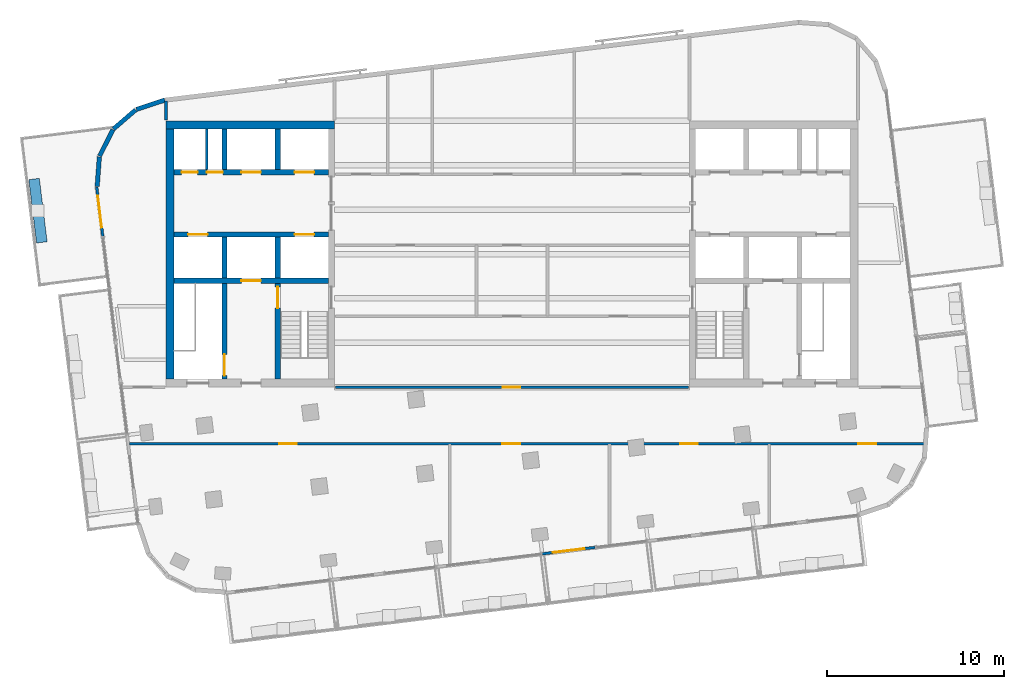
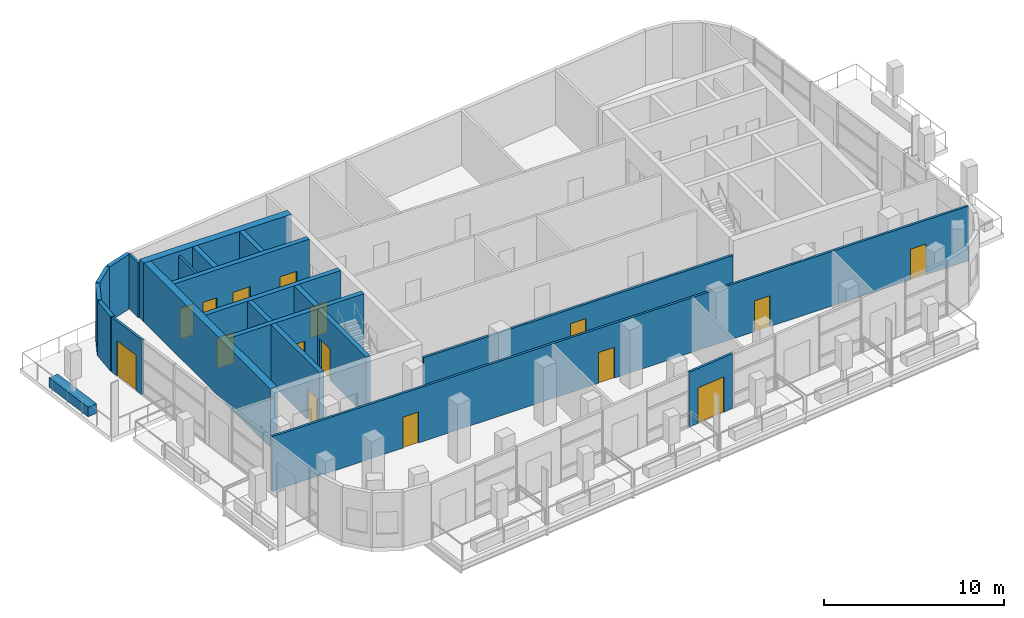
# One storey, part 7 of 13: 22 walls, 16 doors, 16 openings.
"""IFC4 building model written with IfcOpenShell, lengths in metres."""

import ifcopenshell
import ifcopenshell.guid

model = None  # the IFC model being written
_history = None  # IfcOwnerHistory: only IFC2X3 demands one
_inside = {}  # id of a spatial element -> (the spatial element, [elements in it])
_under = {}  # id of a project, library or spatial element -> (it, [spatial elements below it])
_declared = {}  # id of a project -> (the project, [libraries it declares])
_typed = {}  # id of a type object -> (the type object, [elements of that type])
_made_of = {}  # id of a material, layer set ... -> (it, [elements and type objects made of it])


def new_model(schema):
    """Start an empty IFC model of exactly this schema.

    Asked for "IFC4X3", IfcOpenShell would pick the latest addendum, in which some entities
    have other attributes; the version numbers below select the first issue.
    IFC2X3 requires an IfcOwnerHistory on every rooted entity: one is made here for all.
    """
    global model, _history
    if schema == "IFC4X3":
        model = ifcopenshell.file(schema_version=(4, 3, 0, 0))
    else:
        model = ifcopenshell.file(schema=schema)
    _inside.clear()
    _under.clear()
    _declared.clear()
    _typed.clear()
    _made_of.clear()
    _history = None
    if model.schema == "IFC2X3":
        org = make("IfcOrganization", Name="unknown")
        user = make(
            "IfcPersonAndOrganization",
            ThePerson=make("IfcPerson", FamilyName="unknown"),
            TheOrganization=org,
        )
        app = make(
            "IfcApplication",
            ApplicationDeveloper=org,
            Version="unknown",
            ApplicationFullName="unknown",
            ApplicationIdentifier="unknown",
        )
        _history = make(
            "IfcOwnerHistory",
            OwningUser=user,
            OwningApplication=app,
            ChangeAction="ADDED",
            CreationDate=0,
        )
    return model


def make(cls, **values):
    """One entity of the class cls with the attributes given. An attribute that is None is left unset."""
    return model.create_entity(
        cls, **{name: value for name, value in values.items() if value is not None}
    )


def rooted(cls, **values):
    """An entity with a GlobalId (a new one), such as an element, a storey or a relation."""
    return make(cls, GlobalId=ifcopenshell.guid.new(), OwnerHistory=_history, **values)


def si_unit(unit_type, name, prefix=None):
    """IfcSIUnit, for example si_unit("LENGTHUNIT", "METRE", prefix="MILLI")."""
    return make("IfcSIUnit", UnitType=unit_type, Prefix=prefix, Name=name)


def assignment(units):
    """IfcUnitAssignment: the units of a project."""
    return None if units is None else make("IfcUnitAssignment", Units=units)


def point(xyz):
    """IfcCartesianPoint."""
    return None if xyz is None else make("IfcCartesianPoint", Coordinates=xyz)


def direction(xyz):
    """IfcDirection."""
    return None if xyz is None else make("IfcDirection", DirectionRatios=xyz)


def frame(location, z_axis=None, x_axis=None):
    """IfcAxis2Placement3D, a coordinate frame: its origin and axes. An axis left out is left unset."""
    return make(
        "IfcAxis2Placement3D",
        Location=point(location),
        Axis=direction(z_axis),
        RefDirection=direction(x_axis),
    )


def frame_2d(location, x_axis=None):
    """IfcAxis2Placement2D, a coordinate frame in the plane: its origin and x axis."""
    return make(
        "IfcAxis2Placement2D", Location=point(location), RefDirection=direction(x_axis)
    )


def origin():
    """The frame at (0, 0, 0) with its axes left unset."""
    return frame((0.0, 0.0, 0.0))


def place(relative_to, where):
    """IfcLocalPlacement: puts the frame where relative to a parent placement (None: the world)."""
    return make(
        "IfcLocalPlacement", PlacementRelTo=relative_to, RelativePlacement=where
    )


def context(
    kind, dimensions, precision=None, world=None, true_north=None, identifier=None
):
    """IfcGeometricRepresentationContext, for example the 3D "Model" context."""
    return make(
        "IfcGeometricRepresentationContext",
        ContextIdentifier=identifier,
        ContextType=kind,
        CoordinateSpaceDimension=dimensions,
        Precision=precision,
        WorldCoordinateSystem=world,
        TrueNorth=true_north,
    )


def subcontext(parent, identifier, kind, view, scale=None):
    """IfcGeometricRepresentationSubContext, for example "Body" below "Model"."""
    return make(
        "IfcGeometricRepresentationSubContext",
        ContextIdentifier=identifier,
        ContextType=kind,
        ParentContext=parent,
        TargetScale=scale,
        TargetView=view,
    )


def project(units=None, contexts=None):
    """IfcProject with its units and contexts."""
    return rooted(
        "IfcProject",
        Name="project",
        RepresentationContexts=contexts,
        UnitsInContext=assignment(units),
    )


def spatial(cls, under=None, at=None, **own):
    """A site, building, storey or space (cls), placed at a placement, below another one or the project."""
    s = rooted(cls, ObjectPlacement=at, **own)
    if under is not None:
        _under.setdefault(under.id(), (under, []))[1].append(s)
    return s


def profile(cls, at=None, kind="AREA", **sizes):
    """A parametric profile (cls). Its sizes go by their IFC names, for example OverallWidth=200.0."""
    return make(cls, ProfileType=kind, Position=at, **sizes)


def rectangle(**sizes):
    """IfcRectangleProfileDef."""
    return profile("IfcRectangleProfileDef", **sizes)


def extrude(swept, where, along, depth):
    """IfcExtrudedAreaSolid: the profile swept, set in the frame where, extruded along a direction by depth."""
    return make(
        "IfcExtrudedAreaSolid",
        SweptArea=swept,
        Position=where,
        ExtrudedDirection=direction(along),
        Depth=depth,
    )


def shape(context_of_items, identifier, shape_type, items):
    """IfcShapeRepresentation: the items that make up one representation, for example the "Body"."""
    return make(
        "IfcShapeRepresentation",
        ContextOfItems=context_of_items,
        RepresentationIdentifier=identifier,
        RepresentationType=shape_type,
        Items=items,
    )


def material(Name=None, Category=None):
    """IfcMaterial."""
    return make("IfcMaterial", Name=Name, Category=Category)


def layer(
    of_material, thickness, ventilated=None, Name=None, Category=None, Priority=None
):
    """IfcMaterialLayer: one layer of a wall or slab, of a material (None: an air gap)."""
    return make(
        "IfcMaterialLayer",
        Material=of_material,
        LayerThickness=thickness,
        IsVentilated=ventilated,
        Name=Name,
        Category=Category,
        Priority=Priority,
    )


def layer_set(layers, Name=None):
    """IfcMaterialLayerSet."""
    return make("IfcMaterialLayerSet", MaterialLayers=layers, LayerSetName=Name)


def made_of(thing, what):
    """Note that an element or type object is made of a material, layer set ...; save() writes the relation."""
    if what is not None:
        _made_of.setdefault(what.id(), (what, []))[1].append(thing)
    return thing


def type_object(cls, material=None, **own):
    """A type object (cls), such as IfcWallType, which elements share."""
    return made_of(rooted(cls, **own), material)


def element(
    cls,
    number,
    at=None,
    inside=None,
    cuts=None,
    type_object=None,
    material=None,
    context=None,
    identifier="Body",
    shape_type=None,
    held_by="IfcProductDefinitionShape",
    body=None,
    shapes=None,
    **own,
):
    """One element of the class cls, such as IfcWall. Its Tag is "e" and its number.

    at: its placement. inside: the storey or other place that contains it. cuts: it is an
    opening in that element (IfcRelVoidsElement). A single representation is given by context,
    identifier, shape_type and body (its items); several are given by shapes. held_by: the class
    of the entity that holds the representations. save() writes the other relations.
    """
    e = rooted(cls, Tag="e%d" % number, ObjectPlacement=at, **own)
    if body is not None:
        shapes = [shape(context, identifier, shape_type, body)]
    if shapes is not None:
        e.Representation = make(held_by, Representations=shapes)
    if inside is not None:
        _inside.setdefault(inside.id(), (inside, []))[1].append(e)
    if cuts is not None:
        rooted(
            "IfcRelVoidsElement", RelatingBuildingElement=cuts, RelatedOpeningElement=e
        )
    if type_object is not None:
        _typed.setdefault(type_object.id(), (type_object, []))[1].append(e)
    return made_of(e, material)


def fill(opening, filler):
    """IfcRelFillsElement: the door or window that sits in an opening."""
    return rooted(
        "IfcRelFillsElement",
        RelatingOpeningElement=opening,
        RelatedBuildingElement=filler,
    )


def aggregate(whole, parts):
    """IfcRelAggregates: a whole, such as a stair, and the parts it consists of."""
    return rooted("IfcRelAggregates", RelatingObject=whole, RelatedObjects=parts)


def save(model, path):
    """Write the relations noted so far, then the file.

    IfcRelAggregates (storeys below a building ...), IfcRelContainedInSpatialStructure (elements
    in a storey), IfcRelDefinesByType, IfcRelAssociatesMaterial and IfcRelDeclares: one each for
    every whole, place, type object, material and project.
    """
    for whole, parts in _under.values():
        aggregate(whole, parts)
    for where, things in _inside.values():
        rooted(
            "IfcRelContainedInSpatialStructure",
            RelatedElements=things,
            RelatingStructure=where,
        )
    for kind, things in _typed.values():
        rooted("IfcRelDefinesByType", RelatedObjects=things, RelatingType=kind)
    for what, things in _made_of.values():
        rooted("IfcRelAssociatesMaterial", RelatedObjects=things, RelatingMaterial=what)
    for by, libraries in _declared.values():
        rooted("IfcRelDeclares", RelatingContext=by, RelatedDefinitions=libraries)
    model.write(path)


model = new_model("IFC4")

# Units and contexts
model_context = context("Model", 3, precision=1e-05, world=origin(), true_north=direction((0.0, 1.0)))
body_context = subcontext(model_context, "Body", "Model", "MODEL_VIEW")
ifc_project = project(units=[si_unit("LENGTHUNIT", "METRE"), si_unit("AREAUNIT", "SQUARE_METRE"), si_unit("VOLUMEUNIT", "CUBIC_METRE"), si_unit("PLANEANGLEUNIT", "RADIAN"), si_unit("MASSUNIT", "GRAM", prefix="KILO")], contexts=[model_context])

# Site, building, storey
site_placement = place(None, origin())
site = spatial("IfcSite", under=ifc_project, at=site_placement, CompositionType="ELEMENT")
building_placement = place(site_placement, origin())
building = spatial("IfcBuilding", under=site, at=building_placement, Name="Torana Hotel and Residences", CompositionType="ELEMENT")
storey_placement = place(building_placement, frame((0.0, 0.0, 342.60009765625)))
storey = spatial("IfcBuildingStorey", under=building, at=storey_placement, Name="L90", CompositionType="ELEMENT", Elevation=342.60009765625)

# Wall, openings, doors
ifc_material_1 = material(Name="Concrete C60/75", Category="concrete")
ifc_layer_1 = layer(ifc_material_1, 0.300048828125)
ifc_layer_set_1 = layer_set([ifc_layer_1], Name="CORE WALL 300 C60/75")
wall_type_1 = type_object("IfcWallType", Name="CORE WALL 300 C60/75", PredefinedType="SHEAR", material=ifc_layer_set_1)
wall_1_placement = place(storey_placement, frame((-19.050048828125, -2.89990234375, 0.0), z_axis=(0.0, 0.0, 1.0), x_axis=(1.0, 0.0, 0.0)))
wall_1 = element("IfcWall", 1, at=wall_1_placement, inside=storey, type_object=wall_type_1, Name="Core wall W row-N", PredefinedType="SHEAR", context=body_context, shape_type="SweptSolid", body=[
    extrude(rectangle(XDim=8.699951171875, YDim=0.300048828125, at=frame_2d((4.35009765625, 0.0))), origin(), (0.0, 0.0, 1.0), 4.0),
])
opening_1_placement = place(wall_1_placement, frame((6.800048828125, 0.0, 0.0)))
opening_1 = element("IfcOpeningElement", 2, at=opening_1_placement, cuts=wall_1, Name="Opening LD", PredefinedType="OPENING", context=body_context, shape_type="SweptSolid", body=[
    extrude(rectangle(XDim=1.10009765625, YDim=2.10009765625, at=frame_2d((0.550048828125, 1.050048828125))), frame((0.0, 0.159912109375, 0.0), z_axis=(0.0, -1.0, 0.0), x_axis=(1.0, 0.0, 0.0)), (0.0, 0.0, 1.0), 0.320068359375),
])
opening_2_placement = place(wall_1_placement, frame((3.800048828125, 0.0, 0.0)))
opening_2 = element("IfcOpeningElement", 3, at=opening_2_placement, cuts=wall_1, Name="Opening LD", PredefinedType="OPENING", context=body_context, shape_type="SweptSolid", body=[
    extrude(rectangle(XDim=1.10009765625, YDim=2.10009765625, at=frame_2d((0.550048828125, 1.050048828125))), frame((0.0, 0.159912109375, 0.0), z_axis=(0.0, -1.0, 0.0), x_axis=(1.0, 0.0, 0.0)), (0.0, 0.0, 1.0), 0.320068359375),
])
opening_3_placement = place(wall_1_placement, frame((1.862548828125, 0.0, 0.0)))
opening_3 = element("IfcOpeningElement", 4, at=opening_3_placement, cuts=wall_1, Name="Opening L90-06", PredefinedType="OPENING", context=body_context, shape_type="SweptSolid", body=[
    extrude(rectangle(XDim=0.89990234375, YDim=2.10009765625, at=frame_2d((0.449951171875, 1.050048828125))), frame((0.0, 0.159912109375, 0.0), z_axis=(0.0, -1.0, 0.0), x_axis=(1.0, 0.0, 0.0)), (0.0, 0.0, 1.0), 0.320068359375),
])
opening_4_placement = place(wall_1_placement, frame((0.4375, 0.0, 0.0)))
opening_4 = element("IfcOpeningElement", 5, at=opening_4_placement, cuts=wall_1, Name="Opening L90-07", PredefinedType="OPENING", context=body_context, shape_type="SweptSolid", body=[
    extrude(rectangle(XDim=0.89990234375, YDim=2.10009765625, at=frame_2d((0.449951171875, 1.050048828125))), frame((0.0, 0.159912109375, 0.0), z_axis=(0.0, -1.0, 0.0), x_axis=(1.0, 0.0, 0.0)), (0.0, 0.0, 1.0), 0.320068359375),
])
ifc_material_2 = material(Name="Stainless steel 316", Category="steel")
door_type_1 = type_object("IfcDoorType", Name="LIFT LANDING DOOR LD 1100x2100", OperationType="DOUBLE_DOOR_SLIDING", PredefinedType="USERDEFINED", material=ifc_material_2)
door_1_placement = place(opening_1_placement, origin())
door_1 = element("IfcDoor", 6, at=door_1_placement, inside=storey, type_object=door_type_1, Name="Lift landing door H1 L90", ObjectType="LIFT LANDING DOOR", OperationType="DOUBLE_DOOR_SLIDING", OverallHeight=2.10009765625, OverallWidth=1.10009765625, PredefinedType="USERDEFINED", context=body_context, shape_type="SweptSolid", body=[
    extrude(rectangle(XDim=1.10009765625, YDim=2.10009765625, at=frame_2d((0.550048828125, 1.050048828125))), frame((0.0, 0.02490234375, 0.0), z_axis=(0.0, -1.0, 0.0), x_axis=(1.0, 0.0, 0.0)), (0.0, 0.0, 1.0), 0.050048828125),
])
fill(opening_1, door_1)
door_2_placement = place(opening_2_placement, origin())
door_2 = element("IfcDoor", 7, at=door_2_placement, inside=storey, type_object=door_type_1, Name="Lift landing door H2 L90", ObjectType="LIFT LANDING DOOR", OperationType="DOUBLE_DOOR_SLIDING", OverallHeight=2.10009765625, OverallWidth=1.10009765625, PredefinedType="USERDEFINED", context=body_context, shape_type="SweptSolid", body=[
    extrude(rectangle(XDim=1.10009765625, YDim=2.10009765625, at=frame_2d((0.550048828125, 1.050048828125))), frame((0.0, 0.02490234375, 0.0), z_axis=(0.0, -1.0, 0.0), x_axis=(1.0, 0.0, 0.0)), (0.0, 0.0, 1.0), 0.050048828125),
])
fill(opening_2, door_2)
ifc_material_3 = material(Name="Steel S235", Category="steel")
door_type_2 = type_object("IfcDoorType", Name="RISER ACCESS DOOR D5 900x2100", OperationType="SINGLE_SWING_LEFT", PredefinedType="DOOR", material=ifc_material_3)
door_3_placement = place(opening_3_placement, origin())
door_3 = element("IfcDoor", 8, at=door_3_placement, inside=storey, type_object=door_type_2, Name="N2A door L90", OperationType="SINGLE_SWING_LEFT", OverallHeight=2.10009765625, OverallWidth=0.89990234375, PredefinedType="DOOR", context=body_context, shape_type="SweptSolid", body=[
    extrude(rectangle(XDim=0.89990234375, YDim=2.10009765625, at=frame_2d((0.449951171875, 1.050048828125))), frame((0.0, 0.02490234375, 0.0), z_axis=(0.0, -1.0, 0.0), x_axis=(1.0, 0.0, 0.0)), (0.0, 0.0, 1.0), 0.050048828125),
])
fill(opening_3, door_3)
door_4_placement = place(opening_4_placement, origin())
door_4 = element("IfcDoor", 9, at=door_4_placement, inside=storey, type_object=door_type_2, Name="N2B door L90", OperationType="SINGLE_SWING_RIGHT", OverallHeight=2.10009765625, OverallWidth=0.89990234375, PredefinedType="DOOR", context=body_context, shape_type="SweptSolid", body=[
    extrude(rectangle(XDim=0.89990234375, YDim=2.10009765625, at=frame_2d((0.449951171875, 1.050048828125))), frame((0.0, 0.02490234375, 0.0), z_axis=(0.0, -1.0, 0.0), x_axis=(1.0, 0.0, 0.0)), (0.0, 0.0, 1.0), 0.050048828125),
])
fill(opening_4, door_4)

wall_2_placement = place(storey_placement, frame((-19.050048828125, -6.39990234375, 0.0), z_axis=(0.0, 0.0, 1.0), x_axis=(1.0, 0.0, 0.0)))
wall_2 = element("IfcWall", 10, at=wall_2_placement, inside=storey, type_object=wall_type_1, Name="Core wall W row-S", PredefinedType="SHEAR", context=body_context, shape_type="SweptSolid", body=[
    extrude(rectangle(XDim=8.699951171875, YDim=0.300048828125, at=frame_2d((4.35009765625, 0.0))), origin(), (0.0, 0.0, 1.0), 4.0),
])
opening_5_placement = place(wall_2_placement, frame((6.800048828125, 0.0, 0.0)))
opening_5 = element("IfcOpeningElement", 11, at=opening_5_placement, cuts=wall_2, Name="Opening LD", PredefinedType="OPENING", context=body_context, shape_type="SweptSolid", body=[
    extrude(rectangle(XDim=1.10009765625, YDim=2.10009765625, at=frame_2d((0.550048828125, 1.050048828125))), frame((0.0, 0.159912109375, 0.0), z_axis=(0.0, -1.0, 0.0), x_axis=(1.0, 0.0, 0.0)), (0.0, 0.0, 1.0), 0.320068359375),
])
opening_6_placement = place(wall_2_placement, frame((0.800048828125, 0.0, 0.0)))
opening_6 = element("IfcOpeningElement", 12, at=opening_6_placement, cuts=wall_2, Name="Opening LD", PredefinedType="OPENING", context=body_context, shape_type="SweptSolid", body=[
    extrude(rectangle(XDim=1.10009765625, YDim=2.10009765625, at=frame_2d((0.550048828125, 1.050048828125))), frame((0.0, 0.159912109375, 0.0), z_axis=(0.0, -1.0, 0.0), x_axis=(1.0, 0.0, 0.0)), (0.0, 0.0, 1.0), 0.320068359375),
])
door_5_placement = place(opening_5_placement, origin())
door_5 = element("IfcDoor", 13, at=door_5_placement, inside=storey, type_object=door_type_1, Name="Lift landing door X1 L90", ObjectType="LIFT LANDING DOOR", OperationType="DOUBLE_DOOR_SLIDING", OverallHeight=2.10009765625, OverallWidth=1.10009765625, PredefinedType="USERDEFINED", context=body_context, shape_type="SweptSolid", body=[
    extrude(rectangle(XDim=1.10009765625, YDim=2.10009765625, at=frame_2d((0.550048828125, 1.050048828125))), frame((0.0, 0.02490234375, 0.0), z_axis=(0.0, -1.0, 0.0), x_axis=(1.0, 0.0, 0.0)), (0.0, 0.0, 1.0), 0.050048828125),
])
fill(opening_5, door_5)
door_6_placement = place(opening_6_placement, origin())
door_6 = element("IfcDoor", 14, at=door_6_placement, inside=storey, type_object=door_type_1, Name="Lift landing door SV1 L90", ObjectType="LIFT LANDING DOOR", OperationType="DOUBLE_DOOR_SLIDING", OverallHeight=2.10009765625, OverallWidth=1.10009765625, PredefinedType="USERDEFINED", context=body_context, shape_type="SweptSolid", body=[
    extrude(rectangle(XDim=1.10009765625, YDim=2.10009765625, at=frame_2d((0.550048828125, 1.050048828125))), frame((0.0, 0.02490234375, 0.0), z_axis=(0.0, -1.0, 0.0), x_axis=(1.0, 0.0, 0.0)), (0.0, 0.0, 1.0), 0.050048828125),
])
fill(opening_6, door_6)

# Wall, opening, door
wall_3_placement = place(storey_placement, frame((-19.050048828125, -9.0, 0.0), z_axis=(0.0, 0.0, 1.0), x_axis=(1.0, 0.0, 0.0)))
wall_3 = element("IfcWall", 15, at=wall_3_placement, inside=storey, type_object=wall_type_1, Name="Core wall W band", PredefinedType="SHEAR", context=body_context, shape_type="SweptSolid", body=[
    extrude(rectangle(XDim=8.699951171875, YDim=0.300048828125, at=frame_2d((4.35009765625, 0.0))), origin(), (0.0, 0.0, 1.0), 4.0),
])
opening_7_placement = place(wall_3_placement, frame((3.800048828125, 0.0, 0.0)))
opening_7 = element("IfcOpeningElement", 16, at=opening_7_placement, cuts=wall_3, Name="Opening LD", PredefinedType="OPENING", context=body_context, shape_type="SweptSolid", body=[
    extrude(rectangle(XDim=1.10009765625, YDim=2.10009765625, at=frame_2d((0.550048828125, 1.050048828125))), frame((0.0, 0.159912109375, 0.0), z_axis=(0.0, -1.0, 0.0), x_axis=(1.0, 0.0, 0.0)), (0.0, 0.0, 1.0), 0.320068359375),
])
door_7_placement = place(opening_7_placement, origin())
door_7 = element("IfcDoor", 17, at=door_7_placement, inside=storey, type_object=door_type_1, Name="Lift landing door FF1 L90", ObjectType="LIFT LANDING DOOR", OperationType="DOUBLE_DOOR_SLIDING", OverallHeight=2.10009765625, OverallWidth=1.10009765625, PredefinedType="USERDEFINED", context=body_context, shape_type="SweptSolid", body=[
    extrude(rectangle(XDim=1.10009765625, YDim=2.10009765625, at=frame_2d((0.550048828125, 1.050048828125))), frame((0.0, 0.02490234375, 0.0), z_axis=(0.0, -1.0, 0.0), x_axis=(1.0, 0.0, 0.0)), (0.0, 0.0, 1.0), 0.050048828125),
])
fill(opening_7, door_7)

# Walls
for number, where, z_axis, x_axis, name in (
    (18, (-13.199951171875, -2.75, 0.0), (0.0, 0.0, 1.0), (0.0, 1.0, 0.0), "Core wall W x3.05-N"),
    (19, (-13.199951171875, -8.85009765625, 0.0), (0.0, 0.0, 1.0), (0.0, 1.0, 0.0), "Core wall W x3.05-S"),
):
    element("IfcWall", number, at=place(storey_placement, frame(where, z_axis=z_axis, x_axis=x_axis)), inside=storey, type_object=wall_type_1, Name=name, PredefinedType="SHEAR", context=body_context, shape_type="SweptSolid", body=[
        extrude(rectangle(XDim=2.300048828125, YDim=0.300048828125, at=frame_2d((1.14990234375, 0.0))), origin(), (0.0, 0.0, 1.0), 4.0),
    ])

# Wall, opening, door
wall_4_placement = place(storey_placement, frame((-13.199951171875, -14.550048828125, 0.0), z_axis=(0.0, 0.0, 1.0), x_axis=(0.0, 1.0, 0.0)))
wall_4 = element("IfcWall", 20, at=wall_4_placement, inside=storey, type_object=wall_type_1, Name="Core wall W x3.05-band", PredefinedType="SHEAR", context=body_context, shape_type="SweptSolid", body=[
    extrude(rectangle(XDim=5.400146484375, YDim=0.300048828125, at=frame_2d((2.7001953125, 0.0))), origin(), (0.0, 0.0, 1.0), 4.0),
])
opening_8_placement = place(wall_4_placement, frame((4.0, 0.0, 0.0)))
opening_8 = element("IfcOpeningElement", 21, at=opening_8_placement, cuts=wall_4, Name="Opening L90-08", PredefinedType="OPENING", context=body_context, shape_type="SweptSolid", body=[
    extrude(rectangle(XDim=1.199951171875, YDim=2.10009765625, at=frame_2d((0.60009765625, 1.050048828125))), frame((0.0, 0.159912109375, 0.0), z_axis=(0.0, -1.0, 0.0), x_axis=(1.0, 0.0, 0.0)), (0.0, 0.0, 1.0), 0.320068359375),
])
ifc_material_4 = material(Name="Steel S235", Category="steel")
door_type_3 = type_object("IfcDoorType", Name="STAIR FIRE DOOR D3 1200x2100", OperationType="SINGLE_SWING_LEFT", PredefinedType="DOOR", material=ifc_material_4)
door_8_placement = place(opening_8_placement, frame((0.60009765625, 0.0, 0.0), z_axis=(0.0, 0.0, 1.0), x_axis=(-1.0, 0.0, 0.0)))
door_8 = element("IfcDoor", 22, at=door_8_placement, inside=storey, type_object=door_type_3, Name="Stair-A-lobby door L90", OperationType="SINGLE_SWING_RIGHT", OverallHeight=2.10009765625, OverallWidth=1.199951171875, PredefinedType="DOOR", context=body_context, shape_type="SweptSolid", body=[
    extrude(rectangle(XDim=1.199951171875, YDim=2.10009765625, at=frame_2d((0.0, 1.050048828125))), frame((0.0, -0.02490234375, 0.0), z_axis=(0.0, 1.0, 0.0), x_axis=(-1.0, 0.0, 0.0)), (0.0, 0.0, 1.0), 0.050048828125),
])
fill(opening_8, door_8)

# Walls
for number, where, z_axis, x_axis, name in (
    (23, (-16.199951171875, -2.75, 0.0), (0.0, 0.0, 1.0), (0.0, 1.0, 0.0), "Core wall W x6.05-N"),
    (24, (-16.199951171875, -8.85009765625, 0.0), (0.0, 0.0, 1.0), (0.0, 1.0, 0.0), "Core wall W x6.05-S"),
):
    element("IfcWall", number, at=place(storey_placement, frame(where, z_axis=z_axis, x_axis=x_axis)), inside=storey, type_object=wall_type_1, Name=name, PredefinedType="SHEAR", context=body_context, shape_type="SweptSolid", body=[
        extrude(rectangle(XDim=2.300048828125, YDim=0.300048828125, at=frame_2d((1.14990234375, 0.0))), origin(), (0.0, 0.0, 1.0), 4.0),
    ])

# Wall, opening, door
wall_5_placement = place(storey_placement, frame((-16.199951171875, -14.550048828125, 0.0), z_axis=(0.0, 0.0, 1.0), x_axis=(0.0, 1.0, 0.0)))
wall_5 = element("IfcWall", 25, at=wall_5_placement, inside=storey, type_object=wall_type_1, Name="Core wall W x6.05-band", PredefinedType="SHEAR", context=body_context, shape_type="SweptSolid", body=[
    extrude(rectangle(XDim=5.400146484375, YDim=0.300048828125, at=frame_2d((2.7001953125, 0.0))), origin(), (0.0, 0.0, 1.0), 4.0),
])
opening_9_placement = place(wall_5_placement, frame((0.199951171875, 0.0, 0.0)))
opening_9 = element("IfcOpeningElement", 26, at=opening_9_placement, cuts=wall_5, Name="Opening L90-09", PredefinedType="OPENING", context=body_context, shape_type="SweptSolid", body=[
    extrude(rectangle(XDim=1.199951171875, YDim=2.10009765625, at=frame_2d((0.60009765625, 1.050048828125))), frame((0.0, 0.159912109375, 0.0), z_axis=(0.0, -1.0, 0.0), x_axis=(1.0, 0.0, 0.0)), (0.0, 0.0, 1.0), 0.320068359375),
])
door_9_placement = place(opening_9_placement, origin())
door_9 = element("IfcDoor", 27, at=door_9_placement, inside=storey, type_object=door_type_3, Name="Stair-B-lobby door L90", OperationType="SINGLE_SWING_RIGHT", OverallHeight=2.10009765625, OverallWidth=1.199951171875, PredefinedType="DOOR", context=body_context, shape_type="SweptSolid", body=[
    extrude(rectangle(XDim=1.199951171875, YDim=2.10009765625, at=frame_2d((0.60009765625, 1.050048828125))), frame((0.0, 0.02490234375, 0.0), z_axis=(0.0, -1.0, 0.0), x_axis=(1.0, 0.0, 0.0)), (0.0, 0.0, 1.0), 0.050048828125),
])
fill(opening_9, door_9)

# Walls
ifc_material_5 = material(Name="Concrete C60/75", Category="concrete")
ifc_layer_2 = layer(ifc_material_5, 0.449951171875)
ifc_layer_set_2 = layer_set([ifc_layer_2], Name="CORE WALL 450 C60/75")
wall_type_2 = type_object("IfcWallType", Name="CORE WALL 450 C60/75", PredefinedType="SHEAR", material=ifc_layer_set_2)
wall_6_placement = place(storey_placement, frame((-19.5, -0.22509765625, 0.0), z_axis=(0.0, 0.0, 1.0), x_axis=(1.0, 0.0, 0.0)))
element("IfcWall", 28, at=wall_6_placement, inside=storey, type_object=wall_type_2, Name="Core wall W rear", PredefinedType="SHEAR", context=body_context, shape_type="SweptSolid", body=[
    extrude(rectangle(XDim=9.5, YDim=0.449951171875, at=frame_2d((4.75, 0.0))), origin(), (0.0, 0.0, 1.0), 4.0),
])
wall_7_placement = place(storey_placement, frame((-19.27490234375, -14.550048828125, 0.0), z_axis=(0.0, 0.0, 1.0), x_axis=(0.0, 1.0, 0.0)))
element("IfcWall", 29, at=wall_7_placement, inside=storey, type_object=wall_type_2, Name="Core wall W outer", PredefinedType="SHEAR", context=body_context, shape_type="SweptSolid", body=[
    extrude(rectangle(XDim=14.10009765625, YDim=0.449951171875, at=frame_2d((7.050048828125, 0.0))), origin(), (0.0, 0.0, 1.0), 4.0),
])
ifc_material_6 = material(Name="Black aluminium composite panel", Category="aluminium")
ifc_layer_3 = layer(ifc_material_6, 0.00390625, Name="Cladding", Category="cladding")
ifc_material_7 = material(Name="Ventilated air cavity")
ifc_layer_4 = layer(ifc_material_7, 0.0400390625, Name="Ventilated cavity", Category="cavity")
ifc_material_8 = material(Name="Mineral wool insulation")
ifc_layer_5 = layer(ifc_material_8, 0.090087890625, Name="Insulation", Category="insulation")
ifc_material_9 = material(Name="Steel S280GD", Category="steel")
ifc_layer_6 = layer(ifc_material_9, 0.092041015625, Name="Steel stud frame", Category="structure")
ifc_material_10 = material(Name="Fire rated plasterboard")
ifc_layer_7 = layer(ifc_material_10, 0.011962890625, Name="Inner board", Category="finish")
ifc_layer_8 = layer(ifc_material_10, 0.011962890625, Name="Second board", Category="finish")
ifc_layer_set_3 = layer_set([ifc_layer_3, ifc_layer_4, ifc_layer_5, ifc_layer_6, ifc_layer_7, ifc_layer_8], Name="EW1 EXTERNAL WALL BLACK METAL CLAD 250")
wall_type_3 = type_object("IfcWallType", Name="EW1 EXTERNAL WALL BLACK METAL CLAD 250", PredefinedType="SOLIDWALL", material=ifc_layer_set_3)
wall_8_placement = place(storey_placement, frame((-19.568359375, 1.1748046875, 0.0), z_axis=(0.0, 0.0, 1.0), x_axis=(-0.949694735798, -0.313177120489, 0.0)))
element("IfcWall", 30, at=wall_8_placement, inside=storey, type_object=wall_type_3, Name="External wall L90 e0.5", PredefinedType="SOLIDWALL", context=body_context, shape_type="SweptSolid", body=[
    extrude(rectangle(XDim=1.681396484375, YDim=0.25, at=frame_2d((0.8408203125, 0.0))), origin(), (0.0, 0.0, 1.0), 3.719970703125),
])
wall_9_placement = place(storey_placement, frame((-21.207763671875, 0.624267578125, 0.0), z_axis=(0.0, 0.0, 1.0), x_axis=(-0.757568315466, -0.652755886531, 0.0)))
element("IfcWall", 31, at=wall_9_placement, inside=storey, type_object=wall_type_3, Name="External wall L90 e0.6", PredefinedType="SOLIDWALL", context=body_context, shape_type="SweptSolid", body=[
    extrude(rectangle(XDim=1.65625, YDim=0.25, at=frame_2d((0.828125, 0.0))), origin(), (0.0, 0.0, 1.0), 3.719970703125),
])
wall_10_placement = place(storey_placement, frame((-22.49267578125, -0.495361328125, 0.0), z_axis=(0.0, 0.0, 1.0), x_axis=(-0.449982385812, -0.893037430604, 0.0)))
element("IfcWall", 32, at=wall_10_placement, inside=storey, type_object=wall_type_3, Name="External wall L90 e0.7", PredefinedType="SOLIDWALL", context=body_context, shape_type="SweptSolid", body=[
    extrude(rectangle(XDim=1.656494140625, YDim=0.25, at=frame_2d((0.828125, 0.0))), origin(), (0.0, 0.0, 1.0), 3.719970703125),
])
wall_11_placement = place(storey_placement, frame((-23.251220703125, -2.021484375, 0.0), z_axis=(0.0, 0.0, 1.0), x_axis=(-0.074053534713, -0.997254267475, 0.0)))
element("IfcWall", 33, at=wall_11_placement, inside=storey, type_object=wall_type_3, Name="External wall L90 e0.8", PredefinedType="SOLIDWALL", context=body_context, shape_type="SweptSolid", body=[
    extrude(rectangle(XDim=1.681396484375, YDim=0.25, at=frame_2d((0.8408203125, 0.0))), origin(), (0.0, 0.0, 1.0), 3.719970703125),
])
ifc_material_11 = material(Name="Gypsum plaster")
ifc_layer_9 = layer(ifc_material_11, 0.014892578125, Name="Plaster", Category="finish")
ifc_material_12 = material(Name="Concrete blockwork", Category="masonry")
ifc_layer_10 = layer(ifc_material_12, 0.1201171875, Name="Blockwork", Category="structure")
ifc_layer_11 = layer(ifc_material_11, 0.014892578125, Name="Plaster", Category="finish")
ifc_layer_set_4 = layer_set([ifc_layer_9, ifc_layer_10, ifc_layer_11], Name="FIRE PARTITION 150 BLOCKWORK")
wall_type_4 = type_object("IfcWallType", Name="FIRE PARTITION 150 BLOCKWORK", PredefinedType="PARTITIONING", material=ifc_layer_set_4)
wall_12_placement = place(storey_placement, frame((-17.199951171875, -2.75, 0.0), z_axis=(0.0, 0.0, 1.0), x_axis=(0.0, 1.0, 0.0)))
element("IfcWall", 34, at=wall_12_placement, inside=storey, type_object=wall_type_4, Name="Core partition L90", PredefinedType="PARTITIONING", context=body_context, shape_type="SweptSolid", body=[
    extrude(rectangle(XDim=2.300048828125, YDim=0.14990234375, at=frame_2d((1.14990234375, 0.0))), origin(), (0.0, 0.0, 1.0), 3.699951171875),
])

# Wall, openings, doors
wall_13_placement = place(storey_placement, frame((-21.5419921875, -18.199951171875, 0.0), z_axis=(0.0, 0.0, 1.0), x_axis=(1.0, 0.0, 0.0)))
wall_13 = element("IfcWall", 35, at=wall_13_placement, inside=storey, type_object=wall_type_4, Name="Partition L90", PredefinedType="PARTITIONING", context=body_context, shape_type="SweptSolid", body=[
    extrude(rectangle(XDim=44.7958984375, YDim=0.14990234375, at=frame_2d((22.39794921875, 0.0))), origin(), (0.0, 0.0, 1.0), 3.719970703125),
])
opening_10_placement = place(wall_13_placement, frame((8.420166015625, 0.0, 0.0)))
opening_10 = element("IfcOpeningElement", 36, at=opening_10_placement, cuts=wall_13, Name="Opening L90-20", PredefinedType="OPENING", context=body_context, shape_type="SweptSolid", body=[
    extrude(rectangle(XDim=1.0, YDim=2.10009765625, at=frame_2d((0.5, 1.050048828125))), frame((0.0, 0.0849609375, 0.0), z_axis=(0.0, -1.0, 0.0), x_axis=(1.0, 0.0, 0.0)), (0.0, 0.0, 1.0), 0.169921875),
])
opening_11_placement = place(wall_13_placement, frame((21.00048828125, 0.0, 0.0)))
opening_11 = element("IfcOpeningElement", 37, at=opening_11_placement, cuts=wall_13, Name="Opening L90-21", PredefinedType="OPENING", context=body_context, shape_type="SweptSolid", body=[
    extrude(rectangle(XDim=1.0, YDim=2.10009765625, at=frame_2d((0.5, 1.050048828125))), frame((0.0, 0.0849609375, 0.0), z_axis=(0.0, -1.0, 0.0), x_axis=(1.0, 0.0, 0.0)), (0.0, 0.0, 1.0), 0.169921875),
])
opening_12_placement = place(wall_13_placement, frame((31.02001953125, 0.0, 0.0)))
opening_12 = element("IfcOpeningElement", 38, at=opening_12_placement, cuts=wall_13, Name="Opening L90-22", PredefinedType="OPENING", context=body_context, shape_type="SweptSolid", body=[
    extrude(rectangle(XDim=1.0, YDim=2.10009765625, at=frame_2d((0.5, 1.050048828125))), frame((0.0, 0.0849609375, 0.0), z_axis=(0.0, -1.0, 0.0), x_axis=(1.0, 0.0, 0.0)), (0.0, 0.0, 1.0), 0.169921875),
])
opening_13_placement = place(wall_13_placement, frame((41.05615234375, 0.0, 0.0)))
opening_13 = element("IfcOpeningElement", 39, at=opening_13_placement, cuts=wall_13, Name="Opening L90-23", PredefinedType="OPENING", context=body_context, shape_type="SweptSolid", body=[
    extrude(rectangle(XDim=1.0, YDim=2.10009765625, at=frame_2d((0.5, 1.050048828125))), frame((0.0, 0.0849609375, 0.0), z_axis=(0.0, -1.0, 0.0), x_axis=(1.0, 0.0, 0.0)), (0.0, 0.0, 1.0), 0.169921875),
])
ifc_material_13 = material(Name="Steel S235", Category="steel")
door_type_4 = type_object("IfcDoorType", Name="ENTRY FIRE DOOR D6 1000x2100", OperationType="SINGLE_SWING_LEFT", PredefinedType="DOOR", material=ifc_material_13)
door_10_placement = place(opening_10_placement, frame((0.5, 0.0, 0.0), z_axis=(0.0, 0.0, 1.0), x_axis=(-1.0, 0.0, 0.0)))
door_10 = element("IfcDoor", 40, at=door_10_placement, inside=storey, type_object=door_type_4, Name="Door L90", OperationType="SINGLE_SWING_LEFT", OverallHeight=2.10009765625, OverallWidth=1.0, PredefinedType="DOOR", context=body_context, shape_type="SweptSolid", body=[
    extrude(rectangle(XDim=1.0, YDim=2.10009765625, at=frame_2d((0.0, 1.050048828125))), frame((0.0, -0.02490234375, 0.0), z_axis=(0.0, 1.0, 0.0), x_axis=(-1.0, 0.0, 0.0)), (0.0, 0.0, 1.0), 0.050048828125),
])
fill(opening_10, door_10)
door_11_placement = place(opening_11_placement, frame((0.5, 0.0, 0.0), z_axis=(0.0, 0.0, 1.0), x_axis=(-1.0, 0.0, 0.0)))
door_11 = element("IfcDoor", 41, at=door_11_placement, inside=storey, type_object=door_type_4, Name="Door L90", OperationType="SINGLE_SWING_RIGHT", OverallHeight=2.10009765625, OverallWidth=1.0, PredefinedType="DOOR", context=body_context, shape_type="SweptSolid", body=[
    extrude(rectangle(XDim=1.0, YDim=2.10009765625, at=frame_2d((0.0, 1.050048828125))), frame((0.0, -0.02490234375, 0.0), z_axis=(0.0, 1.0, 0.0), x_axis=(-1.0, 0.0, 0.0)), (0.0, 0.0, 1.0), 0.050048828125),
])
fill(opening_11, door_11)
door_12_placement = place(opening_12_placement, frame((0.5, 0.0, 0.0), z_axis=(0.0, 0.0, 1.0), x_axis=(-1.0, 0.0, 0.0)))
door_12 = element("IfcDoor", 42, at=door_12_placement, inside=storey, type_object=door_type_4, Name="Door L90", OperationType="SINGLE_SWING_LEFT", OverallHeight=2.10009765625, OverallWidth=1.0, PredefinedType="DOOR", context=body_context, shape_type="SweptSolid", body=[
    extrude(rectangle(XDim=1.0, YDim=2.10009765625, at=frame_2d((0.0, 1.050048828125))), frame((0.0, -0.02490234375, 0.0), z_axis=(0.0, 1.0, 0.0), x_axis=(-1.0, 0.0, 0.0)), (0.0, 0.0, 1.0), 0.050048828125),
])
fill(opening_12, door_12)
door_13_placement = place(opening_13_placement, frame((0.5, 0.0, 0.0), z_axis=(0.0, 0.0, 1.0), x_axis=(-1.0, 0.0, 0.0)))
door_13 = element("IfcDoor", 43, at=door_13_placement, inside=storey, type_object=door_type_4, Name="Door L90", OperationType="SINGLE_SWING_LEFT", OverallHeight=2.10009765625, OverallWidth=1.0, PredefinedType="DOOR", context=body_context, shape_type="SweptSolid", body=[
    extrude(rectangle(XDim=1.0, YDim=2.10009765625, at=frame_2d((0.0, 1.050048828125))), frame((0.0, -0.02490234375, 0.0), z_axis=(0.0, 1.0, 0.0), x_axis=(-1.0, 0.0, 0.0)), (0.0, 0.0, 1.0), 0.050048828125),
])
fill(opening_13, door_13)

# Wall, opening, door
wall_14_placement = place(storey_placement, frame((-9.949951171875, -15.0, 0.0), z_axis=(0.0, 0.0, 1.0), x_axis=(1.0, 0.0, 0.0)))
wall_14 = element("IfcWall", 44, at=wall_14_placement, inside=storey, type_object=wall_type_4, Name="Partition L90", PredefinedType="PARTITIONING", context=body_context, shape_type="SweptSolid", body=[
    extrude(rectangle(XDim=19.89990234375, YDim=0.14990234375, at=frame_2d((9.949951171875, 0.0))), origin(), (0.0, 0.0, 1.0), 3.083984375),
])
opening_14_placement = place(wall_14_placement, frame((9.429931640625, 0.0, 0.0)))
opening_14 = element("IfcOpeningElement", 45, at=opening_14_placement, cuts=wall_14, Name="Opening L90-19", PredefinedType="OPENING", context=body_context, shape_type="SweptSolid", body=[
    extrude(rectangle(XDim=1.0, YDim=2.10009765625, at=frame_2d((0.5, 1.050048828125))), frame((0.0, 0.0849609375, 0.0), z_axis=(0.0, -1.0, 0.0), x_axis=(1.0, 0.0, 0.0)), (0.0, 0.0, 1.0), 0.169921875),
])
door_14_placement = place(opening_14_placement, origin())
door_14 = element("IfcDoor", 46, at=door_14_placement, inside=storey, type_object=door_type_4, Name="Door L90", OperationType="SINGLE_SWING_RIGHT", OverallHeight=2.10009765625, OverallWidth=1.0, PredefinedType="DOOR", context=body_context, shape_type="SweptSolid", body=[
    extrude(rectangle(XDim=1.0, YDim=2.10009765625, at=frame_2d((0.5, 1.050048828125))), frame((0.0, 0.02490234375, 0.0), z_axis=(0.0, -1.0, 0.0), x_axis=(1.0, 0.0, 0.0)), (0.0, 0.0, 1.0), 0.050048828125),
])
fill(opening_14, door_14)

ifc_material_14 = material(Name="Dark glass screen in aluminium frame", Category="aluminium")
ifc_layer_12 = layer(ifc_material_14, 0.14990234375)
ifc_layer_set_5 = layer_set([ifc_layer_12], Name="GS1 GLAZED DOOR SCREEN 150")
wall_type_5 = type_object("IfcWallType", Name="GS1 GLAZED DOOR SCREEN 150", PredefinedType="USERDEFINED", material=ifc_layer_set_5)
wall_15_placement = place(storey_placement, frame((-23.39990234375, -3.725830078125, 0.0), z_axis=(0.0, 0.0, 1.0), x_axis=(0.121830924856, -0.992550868091, 0.0)))
wall_15 = element("IfcWall", 47, at=wall_15_placement, inside=storey, type_object=wall_type_5, Name="Glazed door screen L90", ObjectType="GLAZED SCREEN", PredefinedType="USERDEFINED", context=body_context, shape_type="SweptSolid", body=[
    extrude(rectangle(XDim=2.79541015625, YDim=0.14990234375, at=frame_2d((1.397705078125, 0.0))), origin(), (0.0, 0.0, 1.0), 3.719970703125),
])
opening_15_placement = place(wall_15_placement, frame((0.497802734375, 0.0, 0.0)))
opening_15 = element("IfcOpeningElement", 48, at=opening_15_placement, cuts=wall_15, Name="Opening L90-E01", PredefinedType="OPENING", context=body_context, shape_type="SweptSolid", body=[
    extrude(rectangle(XDim=1.800048828125, YDim=2.39990234375, at=frame_2d((0.89990234375, 1.199951171875))), frame((0.0, 0.0849609375, 0.0), z_axis=(0.0, -1.0, 0.0), x_axis=(1.0, 0.0, 0.0)), (0.0, 0.0, 1.0), 0.169921875),
])
ifc_material_15 = material(Name="Dark glass in black aluminium frame", Category="aluminium")
door_type_5 = type_object("IfcDoorType", Name="DB1 BALCONY DOOR 1800x2400", OperationType="DOUBLE_DOOR_SINGLE_SWING", PredefinedType="DOOR", material=ifc_material_15)
door_15_placement = place(opening_15_placement, origin())
door_15 = element("IfcDoor", 49, at=door_15_placement, inside=storey, type_object=door_type_5, Name="Balcony door L90", OperationType="DOUBLE_DOOR_SINGLE_SWING", OverallHeight=2.39990234375, OverallWidth=1.800048828125, PredefinedType="DOOR", context=body_context, shape_type="SweptSolid", body=[
    extrude(rectangle(XDim=1.800048828125, YDim=2.39990234375, at=frame_2d((0.89990234375, 1.199951171875))), frame((0.0, 0.02490234375, 0.0), z_axis=(0.0, -1.0, 0.0), x_axis=(1.0, 0.0, 0.0)), (0.0, 0.0, 1.0), 0.050048828125),
])
fill(opening_15, door_15)

wall_16_placement = place(storey_placement, frame((1.706298828125, -24.3955078125, 0.0), z_axis=(0.0, 0.0, 1.0), x_axis=(0.99255088108, 0.121830819037, 0.0)))
wall_16 = element("IfcWall", 50, at=wall_16_placement, inside=storey, type_object=wall_type_5, Name="Glazed door screen L90", ObjectType="GLAZED SCREEN", PredefinedType="USERDEFINED", context=body_context, shape_type="SweptSolid", body=[
    extrude(rectangle(XDim=3.0, YDim=0.14990234375, at=frame_2d((1.5, 0.0))), origin(), (0.0, 0.0, 1.0), 3.719970703125),
])
opening_16_placement = place(wall_16_placement, frame((0.60009765625, 0.0, 0.0)))
opening_16 = element("IfcOpeningElement", 51, at=opening_16_placement, cuts=wall_16, Name="Opening L90-E07", PredefinedType="OPENING", context=body_context, shape_type="SweptSolid", body=[
    extrude(rectangle(XDim=1.800048828125, YDim=2.39990234375, at=frame_2d((0.89990234375, 1.199951171875))), frame((0.0, 0.0849609375, 0.0), z_axis=(0.0, -1.0, 0.0), x_axis=(1.0, 0.0, 0.0)), (0.0, 0.0, 1.0), 0.169921875),
])
door_16_placement = place(opening_16_placement, origin())
door_16 = element("IfcDoor", 52, at=door_16_placement, inside=storey, type_object=door_type_5, Name="Balcony door L90", OperationType="DOUBLE_DOOR_SINGLE_SWING", OverallHeight=2.39990234375, OverallWidth=1.800048828125, PredefinedType="DOOR", context=body_context, shape_type="SweptSolid", body=[
    extrude(rectangle(XDim=1.800048828125, YDim=2.39990234375, at=frame_2d((0.89990234375, 1.199951171875))), frame((0.0, 0.02490234375, 0.0), z_axis=(0.0, -1.0, 0.0), x_axis=(1.0, 0.0, 0.0)), (0.0, 0.0, 1.0), 0.050048828125),
])
fill(opening_16, door_16)

# Walls
ifc_material_16 = material(Name="Gypsum plasterboard")
ifc_layer_13 = layer(ifc_material_16, 0.012451171875, Name="Plasterboard", Category="finish")
ifc_layer_14 = layer(ifc_material_16, 0.012451171875, Name="Plasterboard", Category="finish")
ifc_layer_15 = layer(ifc_material_9, 0.10009765625, Name="Steel studs with mineral wool", Category="insulation")
ifc_layer_16 = layer(ifc_material_16, 0.012451171875, Name="Plasterboard", Category="finish")
ifc_layer_17 = layer(ifc_material_16, 0.012451171875, Name="Plasterboard", Category="finish")
ifc_layer_set_6 = layer_set([ifc_layer_13, ifc_layer_14, ifc_layer_15, ifc_layer_16, ifc_layer_17], Name="PARTITION 150 PLASTERBOARD")
wall_type_6 = type_object("IfcWallType", Name="PARTITION 150 PLASTERBOARD", PredefinedType="PARTITIONING", material=ifc_layer_set_6)
wall_17_placement = place(storey_placement, frame((-19.5, 0.050048828125, 0.0), z_axis=(0.0, 0.0, 1.0), x_axis=(0.0, 1.0, 0.0)))
element("IfcWall", 53, at=wall_17_placement, inside=storey, type_object=wall_type_6, Name="Partition L90", PredefinedType="PARTITIONING", context=body_context, shape_type="SweptSolid", body=[
    extrude(rectangle(XDim=1.080322265625, YDim=0.14990234375, at=frame_2d((0.5400390625, 0.0))), origin(), (0.0, 0.0, 1.0), 3.719970703125),
])
ifc_material_17 = material(Name="Concrete C40/50 precast", Category="concrete")
ifc_layer_18 = layer(ifc_material_17, 0.10009765625, Name="Planter shell", Category="structure")
ifc_material_18 = material(Name="Root resistant membrane")
ifc_layer_19 = layer(ifc_material_18, 0.00390625, Name="Waterproofing membrane", Category="membrane")
ifc_material_19 = material(Name="Drainage board with filter fleece")
ifc_layer_20 = layer(ifc_material_19, 0.02001953125, Name="Drainage board", Category="drainage")
ifc_material_20 = material(Name="Growing medium")
ifc_layer_21 = layer(ifc_material_20, 0.47607421875, Name="Planting substrate", Category="soil")
ifc_layer_set_7 = layer_set([ifc_layer_18, ifc_layer_19, ifc_layer_20, ifc_layer_21], Name="PL1 BALCONY PLANTER 600")
wall_type_7 = type_object("IfcWallType", Name="PL1 BALCONY PLANTER 600", PredefinedType="USERDEFINED", material=ifc_layer_set_7)
wall_18_placement = place(storey_placement, frame((-26.492919921875, -6.8447265625, 0.0), z_axis=(0.0, 0.0, 1.0), x_axis=(-0.121872547154, 0.992545758265, 0.0)))
element("IfcWall", 54, at=wall_18_placement, inside=storey, type_object=wall_type_7, Name="Planter 09", ObjectType="PLANTER", PredefinedType="USERDEFINED", context=body_context, shape_type="SweptSolid", body=[
    extrude(rectangle(XDim=3.599853515625, YDim=0.60009765625, at=frame_2d((1.7998046875, 0.0))), origin(), (0.0, 0.0, 1.0), 0.64990234375),
])

save(model, "model.ifc")
